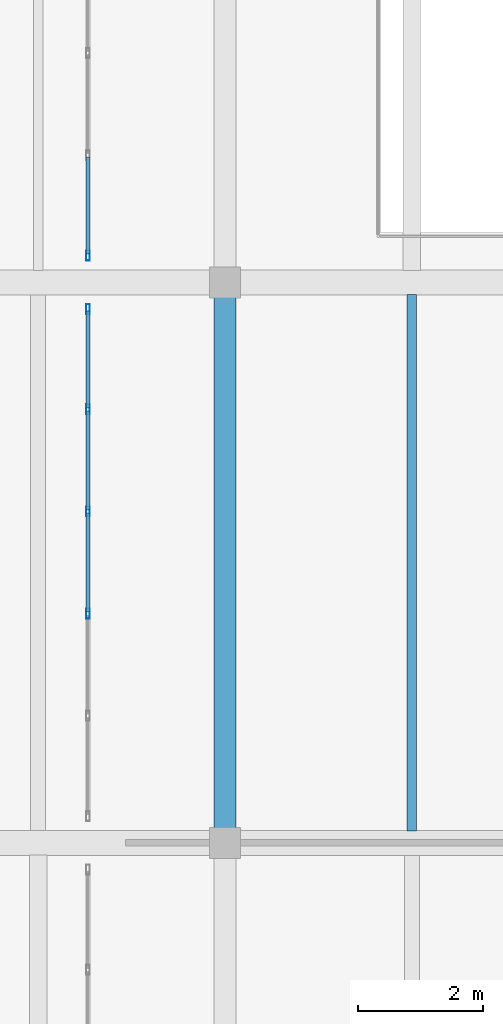
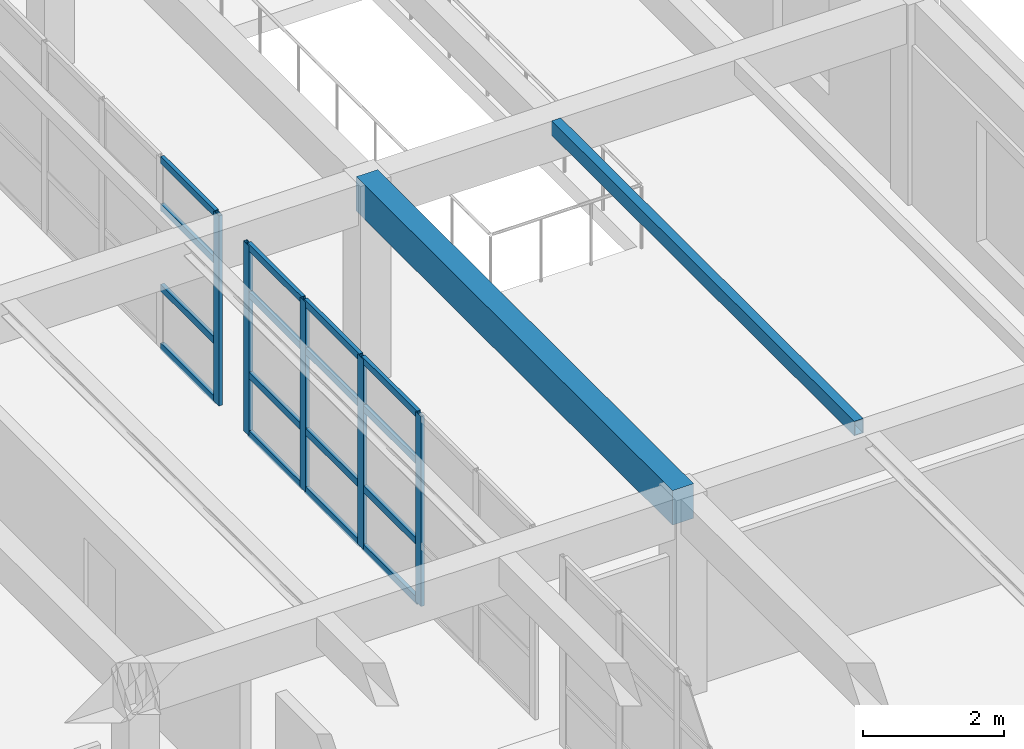
# One storey, part 17 of 156: 21 members, 2 beams, 2 elements without a shape of their own.
"""IFC4 building model written with IfcOpenShell, lengths in metres."""

from ifc_helpers import new_model, si_unit, direction, frame, origin, origin_2d, place, context, subcontext, project, spatial, rectangle, hollow_rectangle, extrude, material, layer, layer_set, material_profile, profile_set, type_object, element, aggregate, save


model = new_model("IFC4")

# Units and contexts
model_context = context("Model", 3, precision=1e-05, world=origin(), true_north=direction((0.0, 1.0)))
body_context = subcontext(model_context, "Body", "Model", "MODEL_VIEW")
ifc_project = project(units=[si_unit("LENGTHUNIT", "METRE"), si_unit("AREAUNIT", "SQUARE_METRE"), si_unit("VOLUMEUNIT", "CUBIC_METRE"), si_unit("PLANEANGLEUNIT", "RADIAN"), si_unit("MASSUNIT", "GRAM", prefix="KILO")], contexts=[model_context])

# Site, building, storey
site_placement = place(None, origin())
site = spatial("IfcSite", under=ifc_project, at=site_placement, CompositionType="ELEMENT")
building_placement = place(site_placement, origin())
building = spatial("IfcBuilding", under=site, at=building_placement, Name="Ornek Quay Market", CompositionType="ELEMENT")
storey_placement = place(building_placement, frame((0.0, 0.0, 4.5)))
storey = spatial("IfcBuildingStorey", under=building, at=storey_placement, Name="L01", CompositionType="ELEMENT", Elevation=4.5)

# Beams
ifc_material_1 = material(Name="Concrete C35/45", Category="concrete")
ifc_material_profile_1 = material_profile(ifc_material_1, rectangle(XDim=0.35009765625, YDim=0.60009765625, at=origin_2d()), Name="RC 350x600", Category="concrete")
ifc_profile_set_1 = profile_set([ifc_material_profile_1], Name="Concrete C35/45")
beam_type_1 = type_object("IfcBeamType", Name="BM-RF-350x600", PredefinedType="BEAM", material=ifc_profile_set_1)
beam_1_placement = place(storey_placement, frame((18.0, 47.0, 3.179931640625), z_axis=(0.0, 1.0, 0.0), x_axis=(-1.0, 0.0, 0.0)))
element("IfcBeam", 1, at=beam_1_placement, inside=storey, type_object=beam_type_1, Name="Primary beam B-RF1-009", PredefinedType="BEAM", context=body_context, shape_type="SweptSolid", body=[
    extrude(rectangle(XDim=0.35009765625, YDim=0.60009765625, at=origin_2d()), origin(), (0.0, 0.0, 1.0), 9.0),
])
ifc_material_2 = material(Name="Steel S355", Category="steel")
ifc_material_profile_2 = material_profile(ifc_material_2, hollow_rectangle(XDim=0.14990234375, YDim=0.25, WallThickness=0.010009765625, at=origin_2d()), Name="RHS 250x150x10", Category="steel")
ifc_profile_set_2 = profile_set([ifc_material_profile_2], Name="Steel S355")
beam_type_2 = type_object("IfcBeamType", Name="BM-RHS-RHS250x150x10", PredefinedType="BEAM", material=ifc_profile_set_2)
beam_2_placement = place(storey_placement, frame((21.0, 47.19189453125, 3.35498046875), z_axis=(0.0, 1.0, 0.0), x_axis=(-1.0, 0.0, 0.0)))
element("IfcBeam", 2, at=beam_2_placement, inside=storey, type_object=beam_type_2, Name="Secondary joist SR-05-009", PredefinedType="BEAM", context=body_context, shape_type="SweptSolid", body=[
    extrude(hollow_rectangle(XDim=0.14990234375, YDim=0.25, WallThickness=0.010009765625, at=origin_2d()), origin(), (0.0, 0.0, 1.0), 8.6162109375),
])

# Curtain wall, members
ifc_material_3 = material(Name="Anodised bronze aluminium and triple low-e glass", Category="aluminium")
ifc_layer = layer(ifc_material_3, 0.179931640625, Name="Anodised bronze aluminium and triple low-e glass", Category="aluminium")
ifc_layer_set = layer_set([ifc_layer], Name="Anodised bronze aluminium and triple low-e glass")
curtain_wall_type = type_object("IfcCurtainWallType", Name="CW-CONC-MOD1500", PredefinedType="USERDEFINED", material=ifc_layer_set)
curtain_wall_1_placement = place(storey_placement, origin())
curtain_wall_1 = element("IfcCurtainWall", 3, at=curtain_wall_1_placement, inside=storey, type_object=curtain_wall_type, Name="Curtain wall CW-137", ObjectType="CURTAIN WALL", PredefinedType="USERDEFINED")
ifc_material_4 = material(Name="Anodised aluminium 6063-T6", Category="aluminium")
ifc_material_profile_3 = material_profile(ifc_material_4, hollow_rectangle(XDim=0.06005859375, YDim=0.159912109375, WallThickness=0.00390625, at=origin_2d()), Name="CW-MUL-60x160", Category="aluminium")
ifc_profile_set_3 = profile_set([ifc_material_profile_3], Name="Anodised aluminium 6063-T6")
member_type_1 = type_object("IfcMemberType", Name="CW-MUL-60x160", PredefinedType="MULLION", material=ifc_profile_set_3)
member_1_placement = place(storey_placement, frame((15.800048828125, 50.679931640625, 0.0), z_axis=(0.0, 0.0, 1.0), x_axis=(-1.0, 0.0, 0.0)))
member_1 = element("IfcMember", 4, at=member_1_placement, type_object=member_type_1, Name="CW-137 mullion 3", PredefinedType="MULLION", context=body_context, shape_type="SweptSolid", body=[
    extrude(hollow_rectangle(XDim=0.06005859375, YDim=0.159912109375, WallThickness=0.00390625, at=origin_2d()), origin(), (0.0, 0.0, 1.0), 3.300048828125),
])
member_2_placement = place(storey_placement, frame((15.800048828125, 52.320068359375, 0.0), z_axis=(0.0, 0.0, 1.0), x_axis=(-1.0, 0.0, 0.0)))
member_2 = element("IfcMember", 5, at=member_2_placement, type_object=member_type_1, Name="CW-137 mullion 4", PredefinedType="MULLION", context=body_context, shape_type="SweptSolid", body=[
    extrude(hollow_rectangle(XDim=0.06005859375, YDim=0.159912109375, WallThickness=0.00390625, at=origin_2d()), origin(), (0.0, 0.0, 1.0), 3.300048828125),
])
member_3_placement = place(storey_placement, frame((15.800048828125, 53.9599609375, 0.0), z_axis=(0.0, 0.0, 1.0), x_axis=(-1.0, 0.0, 0.0)))
member_3 = element("IfcMember", 6, at=member_3_placement, type_object=member_type_1, Name="CW-137 mullion 5", PredefinedType="MULLION", context=body_context, shape_type="SweptSolid", body=[
    extrude(hollow_rectangle(XDim=0.06005859375, YDim=0.159912109375, WallThickness=0.00390625, at=origin_2d()), origin(), (0.0, 0.0, 1.0), 3.300048828125),
])
member_4_placement = place(storey_placement, frame((15.800048828125, 55.570068359375, 0.0), z_axis=(0.0, 0.0, 1.0), x_axis=(-1.0, 0.0, 0.0)))
member_4 = element("IfcMember", 7, at=member_4_placement, type_object=member_type_1, Name="CW-137 mullion 6", PredefinedType="MULLION", context=body_context, shape_type="SweptSolid", body=[
    extrude(hollow_rectangle(XDim=0.06005859375, YDim=0.159912109375, WallThickness=0.00390625, at=origin_2d()), origin(), (0.0, 0.0, 1.0), 3.300048828125),
])

# Curtain wall, member
curtain_wall_2_placement = place(storey_placement, origin())
curtain_wall_2 = element("IfcCurtainWall", 8, at=curtain_wall_2_placement, inside=storey, type_object=curtain_wall_type, Name="Curtain wall CW-139", ObjectType="CURTAIN WALL", PredefinedType="USERDEFINED")
member_5_placement = place(storey_placement, frame((15.800048828125, 56.429931640625, 0.0), z_axis=(0.0, 0.0, 1.0), x_axis=(-1.0, 0.0, 0.0)))
member_5 = element("IfcMember", 9, at=member_5_placement, type_object=member_type_1, Name="CW-139 mullion 1", PredefinedType="MULLION", context=body_context, shape_type="SweptSolid", body=[
    extrude(hollow_rectangle(XDim=0.06005859375, YDim=0.159912109375, WallThickness=0.00390625, at=origin_2d()), origin(), (0.0, 0.0, 1.0), 3.300048828125),
])

# Member
ifc_material_profile_4 = material_profile(ifc_material_4, hollow_rectangle(XDim=0.06005859375, YDim=0.1201171875, WallThickness=0.00390625, at=origin_2d()), Name="CW-TRN-60x120", Category="aluminium")
ifc_profile_set_4 = profile_set([ifc_material_profile_4], Name="Anodised aluminium 6063-T6")
member_type_2 = type_object("IfcMemberType", Name="CW-TRN-60x120", PredefinedType="USERDEFINED", material=ifc_profile_set_4)
member_6_placement = place(storey_placement, frame((15.800048828125, 50.7099609375, 0.030029296875), z_axis=(0.0, 1.0, 0.0), x_axis=(-1.0, 0.0, 0.0)))
member_6 = element("IfcMember", 10, at=member_6_placement, type_object=member_type_2, Name="CW-137 transom 3.1", ObjectType="TRANSOM", PredefinedType="USERDEFINED", context=body_context, shape_type="SweptSolid", body=[
    extrude(hollow_rectangle(XDim=0.06005859375, YDim=0.1201171875, WallThickness=0.00390625, at=origin_2d()), origin(), (0.0, 0.0, 1.0), 1.580078125),
])

member_7_placement = place(storey_placement, frame((15.800048828125, 50.7099609375, 1.050048828125), z_axis=(0.0, 1.0, 0.0), x_axis=(-1.0, 0.0, 0.0)))
member_7 = element("IfcMember", 11, at=member_7_placement, type_object=member_type_2, Name="CW-137 transom 3.2", ObjectType="TRANSOM", PredefinedType="USERDEFINED", context=body_context, shape_type="SweptSolid", body=[
    extrude(hollow_rectangle(XDim=0.06005859375, YDim=0.1201171875, WallThickness=0.00390625, at=origin_2d()), origin(), (0.0, 0.0, 1.0), 1.580078125),
])

member_8_placement = place(storey_placement, frame((15.800048828125, 50.7099609375, 2.449951171875), z_axis=(0.0, 1.0, 0.0), x_axis=(-1.0, 0.0, 0.0)))
member_8 = element("IfcMember", 12, at=member_8_placement, type_object=member_type_2, Name="CW-137 transom 3.3", ObjectType="TRANSOM", PredefinedType="USERDEFINED", context=body_context, shape_type="SweptSolid", body=[
    extrude(hollow_rectangle(XDim=0.06005859375, YDim=0.1201171875, WallThickness=0.00390625, at=origin_2d()), origin(), (0.0, 0.0, 1.0), 1.580078125),
])

member_9_placement = place(storey_placement, frame((15.800048828125, 50.7099609375, 3.27001953125), z_axis=(0.0, 1.0, 0.0), x_axis=(-1.0, 0.0, 0.0)))
member_9 = element("IfcMember", 13, at=member_9_placement, type_object=member_type_2, Name="CW-137 transom 3.4", ObjectType="TRANSOM", PredefinedType="USERDEFINED", context=body_context, shape_type="SweptSolid", body=[
    extrude(hollow_rectangle(XDim=0.06005859375, YDim=0.1201171875, WallThickness=0.00390625, at=origin_2d()), origin(), (0.0, 0.0, 1.0), 1.580078125),
])

member_10_placement = place(storey_placement, frame((15.800048828125, 52.35009765625, 0.030029296875), z_axis=(0.0, 1.0, 0.0), x_axis=(-1.0, 0.0, 0.0)))
member_10 = element("IfcMember", 14, at=member_10_placement, type_object=member_type_2, Name="CW-137 transom 4.1", ObjectType="TRANSOM", PredefinedType="USERDEFINED", context=body_context, shape_type="SweptSolid", body=[
    extrude(hollow_rectangle(XDim=0.06005859375, YDim=0.1201171875, WallThickness=0.00390625, at=origin_2d()), origin(), (0.0, 0.0, 1.0), 1.579833984375),
])

member_11_placement = place(storey_placement, frame((15.800048828125, 52.35009765625, 1.050048828125), z_axis=(0.0, 1.0, 0.0), x_axis=(-1.0, 0.0, 0.0)))
member_11 = element("IfcMember", 15, at=member_11_placement, type_object=member_type_2, Name="CW-137 transom 4.2", ObjectType="TRANSOM", PredefinedType="USERDEFINED", context=body_context, shape_type="SweptSolid", body=[
    extrude(hollow_rectangle(XDim=0.06005859375, YDim=0.1201171875, WallThickness=0.00390625, at=origin_2d()), origin(), (0.0, 0.0, 1.0), 1.579833984375),
])

member_12_placement = place(storey_placement, frame((15.800048828125, 52.35009765625, 2.449951171875), z_axis=(0.0, 1.0, 0.0), x_axis=(-1.0, 0.0, 0.0)))
member_12 = element("IfcMember", 16, at=member_12_placement, type_object=member_type_2, Name="CW-137 transom 4.3", ObjectType="TRANSOM", PredefinedType="USERDEFINED", context=body_context, shape_type="SweptSolid", body=[
    extrude(hollow_rectangle(XDim=0.06005859375, YDim=0.1201171875, WallThickness=0.00390625, at=origin_2d()), origin(), (0.0, 0.0, 1.0), 1.579833984375),
])

member_13_placement = place(storey_placement, frame((15.800048828125, 52.35009765625, 3.27001953125), z_axis=(0.0, 1.0, 0.0), x_axis=(-1.0, 0.0, 0.0)))
member_13 = element("IfcMember", 17, at=member_13_placement, type_object=member_type_2, Name="CW-137 transom 4.4", ObjectType="TRANSOM", PredefinedType="USERDEFINED", context=body_context, shape_type="SweptSolid", body=[
    extrude(hollow_rectangle(XDim=0.06005859375, YDim=0.1201171875, WallThickness=0.00390625, at=origin_2d()), origin(), (0.0, 0.0, 1.0), 1.579833984375),
])

member_14_placement = place(storey_placement, frame((15.800048828125, 53.989990234375, 0.030029296875), z_axis=(0.0, 1.0, 0.0), x_axis=(-1.0, 0.0, 0.0)))
member_14 = element("IfcMember", 18, at=member_14_placement, type_object=member_type_2, Name="CW-137 transom 5.1", ObjectType="TRANSOM", PredefinedType="USERDEFINED", context=body_context, shape_type="SweptSolid", body=[
    extrude(hollow_rectangle(XDim=0.06005859375, YDim=0.1201171875, WallThickness=0.00390625, at=origin_2d()), origin(), (0.0, 0.0, 1.0), 1.550048828125),
])

member_15_placement = place(storey_placement, frame((15.800048828125, 53.989990234375, 1.050048828125), z_axis=(0.0, 1.0, 0.0), x_axis=(-1.0, 0.0, 0.0)))
member_15 = element("IfcMember", 19, at=member_15_placement, type_object=member_type_2, Name="CW-137 transom 5.2", ObjectType="TRANSOM", PredefinedType="USERDEFINED", context=body_context, shape_type="SweptSolid", body=[
    extrude(hollow_rectangle(XDim=0.06005859375, YDim=0.1201171875, WallThickness=0.00390625, at=origin_2d()), origin(), (0.0, 0.0, 1.0), 1.550048828125),
])

member_16_placement = place(storey_placement, frame((15.800048828125, 53.989990234375, 2.449951171875), z_axis=(0.0, 1.0, 0.0), x_axis=(-1.0, 0.0, 0.0)))
member_16 = element("IfcMember", 20, at=member_16_placement, type_object=member_type_2, Name="CW-137 transom 5.3", ObjectType="TRANSOM", PredefinedType="USERDEFINED", context=body_context, shape_type="SweptSolid", body=[
    extrude(hollow_rectangle(XDim=0.06005859375, YDim=0.1201171875, WallThickness=0.00390625, at=origin_2d()), origin(), (0.0, 0.0, 1.0), 1.550048828125),
])

member_17_placement = place(storey_placement, frame((15.800048828125, 53.989990234375, 3.27001953125), z_axis=(0.0, 1.0, 0.0), x_axis=(-1.0, 0.0, 0.0)))
member_17 = element("IfcMember", 21, at=member_17_placement, type_object=member_type_2, Name="CW-137 transom 5.4", ObjectType="TRANSOM", PredefinedType="USERDEFINED", context=body_context, shape_type="SweptSolid", body=[
    extrude(hollow_rectangle(XDim=0.06005859375, YDim=0.1201171875, WallThickness=0.00390625, at=origin_2d()), origin(), (0.0, 0.0, 1.0), 1.550048828125),
])

aggregate(curtain_wall_1, [member_1, member_2, member_3, member_4, member_6, member_7, member_8, member_9, member_10, member_11, member_12, member_13, member_14, member_15, member_16, member_17])

member_18_placement = place(storey_placement, frame((15.800048828125, 56.4599609375, 0.030029296875), z_axis=(0.0, 1.0, 0.0), x_axis=(-1.0, 0.0, 0.0)))
member_18 = element("IfcMember", 22, at=member_18_placement, type_object=member_type_2, Name="CW-139 transom 1.1", ObjectType="TRANSOM", PredefinedType="USERDEFINED", context=body_context, shape_type="SweptSolid", body=[
    extrude(hollow_rectangle(XDim=0.06005859375, YDim=0.1201171875, WallThickness=0.00390625, at=origin_2d()), origin(), (0.0, 0.0, 1.0), 1.550048828125),
])

member_19_placement = place(storey_placement, frame((15.800048828125, 56.4599609375, 1.050048828125), z_axis=(0.0, 1.0, 0.0), x_axis=(-1.0, 0.0, 0.0)))
member_19 = element("IfcMember", 23, at=member_19_placement, type_object=member_type_2, Name="CW-139 transom 1.2", ObjectType="TRANSOM", PredefinedType="USERDEFINED", context=body_context, shape_type="SweptSolid", body=[
    extrude(hollow_rectangle(XDim=0.06005859375, YDim=0.1201171875, WallThickness=0.00390625, at=origin_2d()), origin(), (0.0, 0.0, 1.0), 1.550048828125),
])

member_20_placement = place(storey_placement, frame((15.800048828125, 56.4599609375, 2.449951171875), z_axis=(0.0, 1.0, 0.0), x_axis=(-1.0, 0.0, 0.0)))
member_20 = element("IfcMember", 24, at=member_20_placement, type_object=member_type_2, Name="CW-139 transom 1.3", ObjectType="TRANSOM", PredefinedType="USERDEFINED", context=body_context, shape_type="SweptSolid", body=[
    extrude(hollow_rectangle(XDim=0.06005859375, YDim=0.1201171875, WallThickness=0.00390625, at=origin_2d()), origin(), (0.0, 0.0, 1.0), 1.550048828125),
])

member_21_placement = place(storey_placement, frame((15.800048828125, 56.4599609375, 3.27001953125), z_axis=(0.0, 1.0, 0.0), x_axis=(-1.0, 0.0, 0.0)))
member_21 = element("IfcMember", 25, at=member_21_placement, type_object=member_type_2, Name="CW-139 transom 1.4", ObjectType="TRANSOM", PredefinedType="USERDEFINED", context=body_context, shape_type="SweptSolid", body=[
    extrude(hollow_rectangle(XDim=0.06005859375, YDim=0.1201171875, WallThickness=0.00390625, at=origin_2d()), origin(), (0.0, 0.0, 1.0), 1.550048828125),
])

aggregate(curtain_wall_2, [member_5, member_18, member_19, member_20, member_21])

save(model, "model.ifc")
